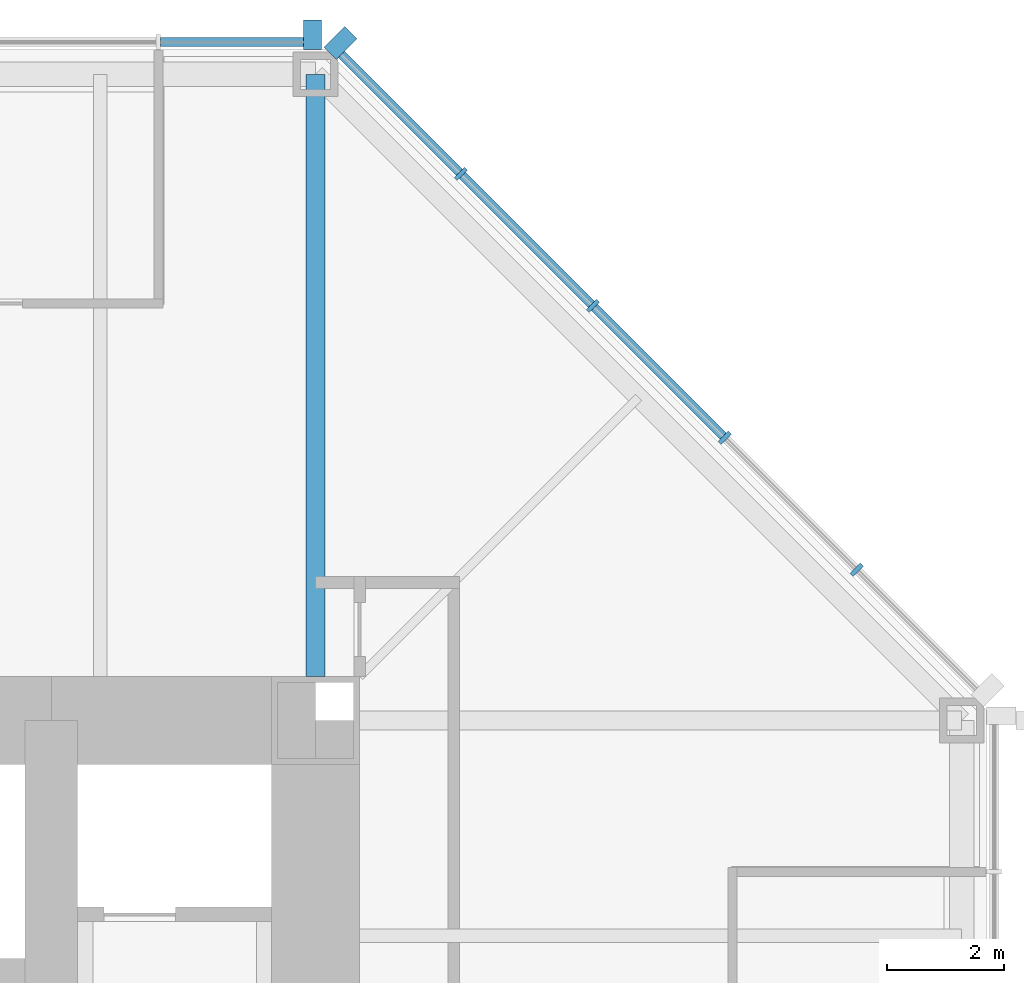
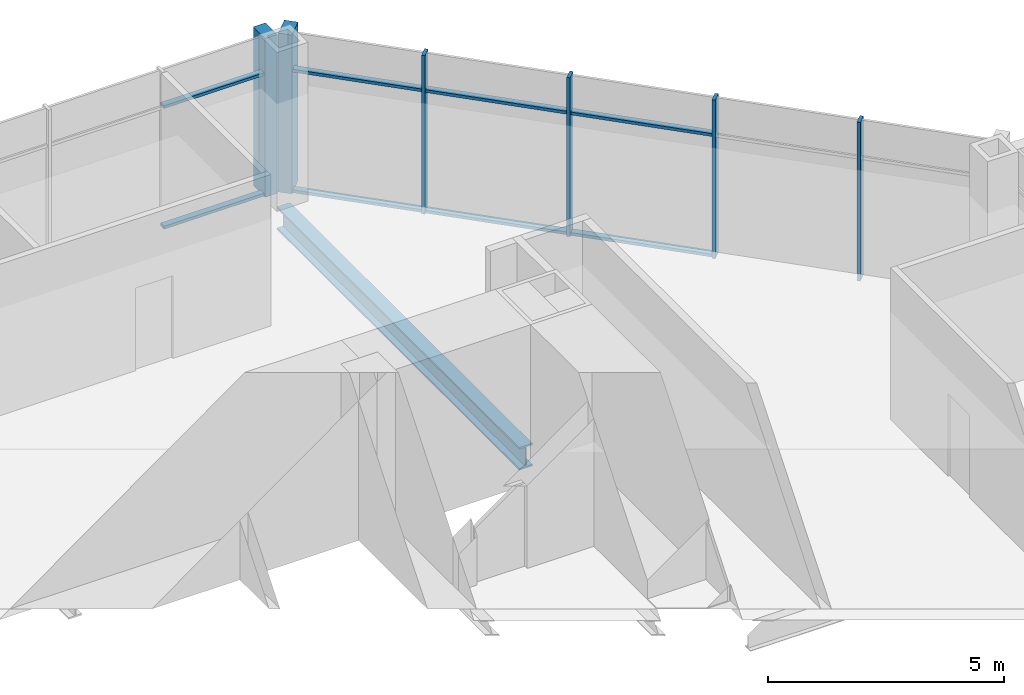
# One storey, part 6 of 12: 14 members, 1 beam, 2 elements without a shape of their own.
"""IFC4 building model written with IfcOpenShell, lengths in metres."""

import ifcopenshell
import ifcopenshell.guid

model = None  # the IFC model being written
_history = None  # IfcOwnerHistory: only IFC2X3 demands one
_inside = {}  # id of a spatial element -> (the spatial element, [elements in it])
_under = {}  # id of a project, library or spatial element -> (it, [spatial elements below it])
_declared = {}  # id of a project -> (the project, [libraries it declares])
_typed = {}  # id of a type object -> (the type object, [elements of that type])
_made_of = {}  # id of a material, layer set ... -> (it, [elements and type objects made of it])


def new_model(schema):
    """Start an empty IFC model of exactly this schema.

    Asked for "IFC4X3", IfcOpenShell would pick the latest addendum, in which some entities
    have other attributes; the version numbers below select the first issue.
    IFC2X3 requires an IfcOwnerHistory on every rooted entity: one is made here for all.
    """
    global model, _history
    if schema == "IFC4X3":
        model = ifcopenshell.file(schema_version=(4, 3, 0, 0))
    else:
        model = ifcopenshell.file(schema=schema)
    _inside.clear()
    _under.clear()
    _declared.clear()
    _typed.clear()
    _made_of.clear()
    _history = None
    if model.schema == "IFC2X3":
        org = make("IfcOrganization", Name="unknown")
        user = make(
            "IfcPersonAndOrganization",
            ThePerson=make("IfcPerson", FamilyName="unknown"),
            TheOrganization=org,
        )
        app = make(
            "IfcApplication",
            ApplicationDeveloper=org,
            Version="unknown",
            ApplicationFullName="unknown",
            ApplicationIdentifier="unknown",
        )
        _history = make(
            "IfcOwnerHistory",
            OwningUser=user,
            OwningApplication=app,
            ChangeAction="ADDED",
            CreationDate=0,
        )
    return model


def make(cls, **values):
    """One entity of the class cls with the attributes given. An attribute that is None is left unset."""
    return model.create_entity(
        cls, **{name: value for name, value in values.items() if value is not None}
    )


def rooted(cls, **values):
    """An entity with a GlobalId (a new one), such as an element, a storey or a relation."""
    return make(cls, GlobalId=ifcopenshell.guid.new(), OwnerHistory=_history, **values)


def si_unit(unit_type, name, prefix=None):
    """IfcSIUnit, for example si_unit("LENGTHUNIT", "METRE", prefix="MILLI")."""
    return make("IfcSIUnit", UnitType=unit_type, Prefix=prefix, Name=name)


def assignment(units):
    """IfcUnitAssignment: the units of a project."""
    return None if units is None else make("IfcUnitAssignment", Units=units)


def point(xyz):
    """IfcCartesianPoint."""
    return None if xyz is None else make("IfcCartesianPoint", Coordinates=xyz)


def direction(xyz):
    """IfcDirection."""
    return None if xyz is None else make("IfcDirection", DirectionRatios=xyz)


def frame(location, z_axis=None, x_axis=None):
    """IfcAxis2Placement3D, a coordinate frame: its origin and axes. An axis left out is left unset."""
    return make(
        "IfcAxis2Placement3D",
        Location=point(location),
        Axis=direction(z_axis),
        RefDirection=direction(x_axis),
    )


def frame_2d(location, x_axis=None):
    """IfcAxis2Placement2D, a coordinate frame in the plane: its origin and x axis."""
    return make(
        "IfcAxis2Placement2D", Location=point(location), RefDirection=direction(x_axis)
    )


def origin():
    """The frame at (0, 0, 0) with its axes left unset."""
    return frame((0.0, 0.0, 0.0))


def origin_2d():
    """The frame at (0, 0) in the plane with its x axis left unset."""
    return frame_2d((0.0, 0.0))


def place(relative_to, where):
    """IfcLocalPlacement: puts the frame where relative to a parent placement (None: the world)."""
    return make(
        "IfcLocalPlacement", PlacementRelTo=relative_to, RelativePlacement=where
    )


def context(
    kind, dimensions, precision=None, world=None, true_north=None, identifier=None
):
    """IfcGeometricRepresentationContext, for example the 3D "Model" context."""
    return make(
        "IfcGeometricRepresentationContext",
        ContextIdentifier=identifier,
        ContextType=kind,
        CoordinateSpaceDimension=dimensions,
        Precision=precision,
        WorldCoordinateSystem=world,
        TrueNorth=true_north,
    )


def subcontext(parent, identifier, kind, view, scale=None):
    """IfcGeometricRepresentationSubContext, for example "Body" below "Model"."""
    return make(
        "IfcGeometricRepresentationSubContext",
        ContextIdentifier=identifier,
        ContextType=kind,
        ParentContext=parent,
        TargetScale=scale,
        TargetView=view,
    )


def project(units=None, contexts=None):
    """IfcProject with its units and contexts."""
    return rooted(
        "IfcProject",
        Name="project",
        RepresentationContexts=contexts,
        UnitsInContext=assignment(units),
    )


def spatial(cls, under=None, at=None, **own):
    """A site, building, storey or space (cls), placed at a placement, below another one or the project."""
    s = rooted(cls, ObjectPlacement=at, **own)
    if under is not None:
        _under.setdefault(under.id(), (under, []))[1].append(s)
    return s


def profile(cls, at=None, kind="AREA", **sizes):
    """A parametric profile (cls). Its sizes go by their IFC names, for example OverallWidth=200.0."""
    return make(cls, ProfileType=kind, Position=at, **sizes)


def rectangle(**sizes):
    """IfcRectangleProfileDef."""
    return profile("IfcRectangleProfileDef", **sizes)


def i_section(**sizes):
    """IfcIShapeProfileDef."""
    return profile("IfcIShapeProfileDef", **sizes)


def extrude(swept, where, along, depth):
    """IfcExtrudedAreaSolid: the profile swept, set in the frame where, extruded along a direction by depth."""
    return make(
        "IfcExtrudedAreaSolid",
        SweptArea=swept,
        Position=where,
        ExtrudedDirection=direction(along),
        Depth=depth,
    )


def shape(context_of_items, identifier, shape_type, items):
    """IfcShapeRepresentation: the items that make up one representation, for example the "Body"."""
    return make(
        "IfcShapeRepresentation",
        ContextOfItems=context_of_items,
        RepresentationIdentifier=identifier,
        RepresentationType=shape_type,
        Items=items,
    )


def material(Name=None, Category=None):
    """IfcMaterial."""
    return make("IfcMaterial", Name=Name, Category=Category)


def material_profile(
    of_material, cross_section, Name=None, Category=None, Priority=None
):
    """IfcMaterialProfile: a cross section and its material."""
    return make(
        "IfcMaterialProfile",
        Name=Name,
        Material=of_material,
        Profile=cross_section,
        Priority=Priority,
        Category=Category,
    )


def profile_set(profiles, Name=None, composite=None):
    """IfcMaterialProfileSet."""
    return make(
        "IfcMaterialProfileSet",
        Name=Name,
        MaterialProfiles=profiles,
        CompositeProfile=composite,
    )


def made_of(thing, what):
    """Note that an element or type object is made of a material, layer set ...; save() writes the relation."""
    if what is not None:
        _made_of.setdefault(what.id(), (what, []))[1].append(thing)
    return thing


def type_object(cls, material=None, **own):
    """A type object (cls), such as IfcWallType, which elements share."""
    return made_of(rooted(cls, **own), material)


def element(
    cls,
    number,
    at=None,
    inside=None,
    cuts=None,
    type_object=None,
    material=None,
    context=None,
    identifier="Body",
    shape_type=None,
    held_by="IfcProductDefinitionShape",
    body=None,
    shapes=None,
    **own,
):
    """One element of the class cls, such as IfcWall. Its Tag is "e" and its number.

    at: its placement. inside: the storey or other place that contains it. cuts: it is an
    opening in that element (IfcRelVoidsElement). A single representation is given by context,
    identifier, shape_type and body (its items); several are given by shapes. held_by: the class
    of the entity that holds the representations. save() writes the other relations.
    """
    e = rooted(cls, Tag="e%d" % number, ObjectPlacement=at, **own)
    if body is not None:
        shapes = [shape(context, identifier, shape_type, body)]
    if shapes is not None:
        e.Representation = make(held_by, Representations=shapes)
    if inside is not None:
        _inside.setdefault(inside.id(), (inside, []))[1].append(e)
    if cuts is not None:
        rooted(
            "IfcRelVoidsElement", RelatingBuildingElement=cuts, RelatedOpeningElement=e
        )
    if type_object is not None:
        _typed.setdefault(type_object.id(), (type_object, []))[1].append(e)
    return made_of(e, material)


def aggregate(whole, parts):
    """IfcRelAggregates: a whole, such as a stair, and the parts it consists of."""
    return rooted("IfcRelAggregates", RelatingObject=whole, RelatedObjects=parts)


def save(model, path):
    """Write the relations noted so far, then the file.

    IfcRelAggregates (storeys below a building ...), IfcRelContainedInSpatialStructure (elements
    in a storey), IfcRelDefinesByType, IfcRelAssociatesMaterial and IfcRelDeclares: one each for
    every whole, place, type object, material and project.
    """
    for whole, parts in _under.values():
        aggregate(whole, parts)
    for where, things in _inside.values():
        rooted(
            "IfcRelContainedInSpatialStructure",
            RelatedElements=things,
            RelatingStructure=where,
        )
    for kind, things in _typed.values():
        rooted("IfcRelDefinesByType", RelatedObjects=things, RelatingType=kind)
    for what, things in _made_of.values():
        rooted("IfcRelAssociatesMaterial", RelatedObjects=things, RelatingMaterial=what)
    for by, libraries in _declared.values():
        rooted("IfcRelDeclares", RelatingContext=by, RelatedDefinitions=libraries)
    model.write(path)


model = new_model("IFC4")

# Units and contexts
model_context = context("Model", 3, precision=1e-05, world=origin(), true_north=direction((0.0, 1.0)))
body_context = subcontext(model_context, "Body", "Model", "MODEL_VIEW")
ifc_project = project(units=[si_unit("LENGTHUNIT", "METRE"), si_unit("AREAUNIT", "SQUARE_METRE"), si_unit("VOLUMEUNIT", "CUBIC_METRE"), si_unit("PLANEANGLEUNIT", "RADIAN"), si_unit("MASSUNIT", "GRAM", prefix="KILO")], contexts=[model_context])

# Site, building, storey
site_placement = place(None, origin())
site = spatial("IfcSite", under=ifc_project, at=site_placement, CompositionType="ELEMENT")
building_placement = place(site_placement, origin())
building = spatial("IfcBuilding", under=site, at=building_placement, Name="Trevanion Tower", CompositionType="ELEMENT")
storey_placement = place(building_placement, frame((0.0, 0.0, 113.10009765625)))
storey = spatial("IfcBuildingStorey", under=building, at=storey_placement, Name="L26", CompositionType="ELEMENT", Elevation=113.10009765625)

# Curtain wall, members
ifc_material_1 = material(Name="Aluminium and glass", Category="aluminium")
curtain_wall_type = type_object("IfcCurtainWallType", Name="CW2 curtain wall", PredefinedType="USERDEFINED", material=ifc_material_1)
curtain_wall_1_placement = place(storey_placement, origin())
curtain_wall_1 = element("IfcCurtainWall", 1, at=curtain_wall_1_placement, inside=storey, type_object=curtain_wall_type, Name="CW2 L26 1", ObjectType="UNITISED CURTAIN WALL", PredefinedType="USERDEFINED")
ifc_material_2 = material(Name="Aluminium extrusion, anodised bronze", Category="aluminium")
ifc_material_profile_1 = material_profile(ifc_material_2, rectangle(XDim=0.074951171875, YDim=0.25, at=origin_2d()), Name="CW2 mullion")
ifc_profile_set_1 = profile_set([ifc_material_profile_1], Name="Aluminium extrusion, anodised bronze")
member_type_1 = type_object("IfcMemberType", Name="CW2 mullion", PredefinedType="MULLION", material=ifc_profile_set_1)
member_1_placement = place(storey_placement, frame((20.2119140625, 13.56591796875, -0.190185546875), z_axis=(0.0, 0.0, 1.0), x_axis=(-0.707106781187, 0.707106781187, 0.0)))
member_1 = element("IfcMember", 2, at=member_1_placement, type_object=member_type_1, Name="CW2 mullion 2", PredefinedType="MULLION", context=body_context, shape_type="SweptSolid", body=[
    extrude(rectangle(XDim=0.074951171875, YDim=0.25, at=origin_2d()), origin(), (0.0, 0.0, 1.0), 4.10009765625),
])
member_2_placement = place(storey_placement, frame((17.966064453125, 15.811767578125, -0.190185546875), z_axis=(0.0, 0.0, 1.0), x_axis=(-0.707106781187, 0.707106781187, 0.0)))
member_2 = element("IfcMember", 3, at=member_2_placement, type_object=member_type_1, Name="CW2 mullion 3", PredefinedType="MULLION", context=body_context, shape_type="SweptSolid", body=[
    extrude(rectangle(XDim=0.074951171875, YDim=0.25, at=origin_2d()), origin(), (0.0, 0.0, 1.0), 4.10009765625),
])
member_3_placement = place(storey_placement, frame((15.719970703125, 18.057861328125, -0.190185546875), z_axis=(0.0, 0.0, 1.0), x_axis=(-0.707106781187, 0.707106781187, 0.0)))
member_3 = element("IfcMember", 4, at=member_3_placement, type_object=member_type_1, Name="CW2 mullion 4", PredefinedType="MULLION", context=body_context, shape_type="SweptSolid", body=[
    extrude(rectangle(XDim=0.074951171875, YDim=0.25, at=origin_2d()), origin(), (0.0, 0.0, 1.0), 4.10009765625),
])
member_4_placement = place(storey_placement, frame((13.473876953125, 20.303955078125, -0.190185546875), z_axis=(0.0, 0.0, 1.0), x_axis=(-0.707106781187, 0.707106781187, 0.0)))
member_4 = element("IfcMember", 5, at=member_4_placement, type_object=member_type_1, Name="CW2 mullion 5", PredefinedType="MULLION", context=body_context, shape_type="SweptSolid", body=[
    extrude(rectangle(XDim=0.074951171875, YDim=0.25, at=origin_2d()), origin(), (0.0, 0.0, 1.0), 4.10009765625),
])
ifc_material_3 = material(Name="Aluminium extrusion, anodised bronze", Category="aluminium")
ifc_material_profile_2 = material_profile(ifc_material_3, rectangle(XDim=0.300048828125, YDim=0.5, at=origin_2d()), Name="CW2 pier mullion")
ifc_profile_set_2 = profile_set([ifc_material_profile_2], Name="Aluminium extrusion, anodised bronze")
member_type_2 = type_object("IfcMemberType", Name="CW2 pier mullion", PredefinedType="MULLION", material=ifc_profile_set_2)
member_5_placement = place(storey_placement, frame((11.42236328125, 22.5322265625, -0.190185546875), z_axis=(0.0, 0.0, 1.0), x_axis=(-0.707106781187, 0.707106781187, 0.0)))
member_5 = element("IfcMember", 6, at=member_5_placement, type_object=member_type_2, Name="CW2 pier mullion 6", PredefinedType="MULLION", context=body_context, shape_type="SweptSolid", body=[
    extrude(rectangle(XDim=0.300048828125, YDim=0.5, at=origin_2d()), origin(), (0.0, 0.0, 1.0), 4.10009765625),
])

# Curtain wall, member
curtain_wall_2_placement = place(storey_placement, origin())
curtain_wall_2 = element("IfcCurtainWall", 7, at=curtain_wall_2_placement, inside=storey, type_object=curtain_wall_type, Name="CW2 L26 2", ObjectType="UNITISED CURTAIN WALL", PredefinedType="USERDEFINED")
member_6_placement = place(storey_placement, frame((10.94775390625, 22.675048828125, -0.190185546875), z_axis=(0.0, 0.0, 1.0), x_axis=(-1.0, 0.0, 0.0)))
member_6 = element("IfcMember", 8, at=member_6_placement, type_object=member_type_2, Name="CW2 pier mullion 1", PredefinedType="MULLION", context=body_context, shape_type="SweptSolid", body=[
    extrude(rectangle(XDim=0.300048828125, YDim=0.5, at=origin_2d()), origin(), (0.0, 0.0, 1.0), 4.10009765625),
])

# Member
ifc_material_4 = material(Name="Aluminium extrusion, anodised bronze", Category="aluminium")
ifc_material_profile_3 = material_profile(ifc_material_4, rectangle(XDim=0.14990234375, YDim=0.074951171875, at=origin_2d()), Name="CW2 transom")
ifc_profile_set_3 = profile_set([ifc_material_profile_3], Name="Aluminium extrusion, anodised bronze")
member_type_3 = type_object("IfcMemberType", Name="CW2 transom", PredefinedType="USERDEFINED", material=ifc_profile_set_3)
member_7_placement = place(storey_placement, frame((17.939453125, 15.83837890625, -0.152587890625), z_axis=(-0.707106781187, 0.707106781187, 0.0), x_axis=(-0.707106781187, -0.707106781187, 0.0)))
member_7 = element("IfcMember", 9, at=member_7_placement, type_object=member_type_3, Name="CW2 transom 3.1", ObjectType="TRANSOM", PredefinedType="USERDEFINED", context=body_context, shape_type="SweptSolid", body=[
    extrude(rectangle(XDim=0.14990234375, YDim=0.074951171875, at=origin_2d()), origin(), (0.0, 0.0, 1.0), 3.1015625),
])

member_8_placement = place(storey_placement, frame((17.939453125, 15.83837890625, 2.9599609375), z_axis=(-0.707106781187, 0.707106781187, 0.0), x_axis=(-0.707106781187, -0.707106781187, 0.0)))
member_8 = element("IfcMember", 10, at=member_8_placement, type_object=member_type_3, Name="CW2 transom 3.2", ObjectType="TRANSOM", PredefinedType="USERDEFINED", context=body_context, shape_type="SweptSolid", body=[
    extrude(rectangle(XDim=0.14990234375, YDim=0.074951171875, at=origin_2d()), origin(), (0.0, 0.0, 1.0), 3.1015625),
])

member_9_placement = place(storey_placement, frame((15.693359375, 18.08447265625, -0.152587890625), z_axis=(-0.707106781187, 0.707106781187, 0.0), x_axis=(-0.707106781187, -0.707106781187, 0.0)))
member_9 = element("IfcMember", 11, at=member_9_placement, type_object=member_type_3, Name="CW2 transom 4.1", ObjectType="TRANSOM", PredefinedType="USERDEFINED", context=body_context, shape_type="SweptSolid", body=[
    extrude(rectangle(XDim=0.14990234375, YDim=0.074951171875, at=origin_2d()), origin(), (0.0, 0.0, 1.0), 3.10107421875),
])

member_10_placement = place(storey_placement, frame((15.693359375, 18.08447265625, 2.9599609375), z_axis=(-0.707106781187, 0.707106781187, 0.0), x_axis=(-0.707106781187, -0.707106781187, 0.0)))
member_10 = element("IfcMember", 12, at=member_10_placement, type_object=member_type_3, Name="CW2 transom 4.2", ObjectType="TRANSOM", PredefinedType="USERDEFINED", context=body_context, shape_type="SweptSolid", body=[
    extrude(rectangle(XDim=0.14990234375, YDim=0.074951171875, at=origin_2d()), origin(), (0.0, 0.0, 1.0), 3.10107421875),
])

member_11_placement = place(storey_placement, frame((13.447509765625, 20.33056640625, -0.152587890625), z_axis=(-0.707149778163, 0.707063781595, 0.0), x_axis=(-0.707063781595, -0.707149778163, 0.0)))
member_11 = element("IfcMember", 13, at=member_11_placement, type_object=member_type_3, Name="CW2 transom 5.1", ObjectType="TRANSOM", PredefinedType="USERDEFINED", context=body_context, shape_type="SweptSolid", body=[
    extrude(rectangle(XDim=0.14990234375, YDim=0.074951171875, at=origin_2d()), origin(), (0.0, 0.0, 1.0), 2.8388671875),
])

member_12_placement = place(storey_placement, frame((13.447509765625, 20.33056640625, 2.9599609375), z_axis=(-0.707149778163, 0.707063781595, 0.0), x_axis=(-0.707063781595, -0.707149778163, 0.0)))
member_12 = element("IfcMember", 14, at=member_12_placement, type_object=member_type_3, Name="CW2 transom 5.2", ObjectType="TRANSOM", PredefinedType="USERDEFINED", context=body_context, shape_type="SweptSolid", body=[
    extrude(rectangle(XDim=0.14990234375, YDim=0.074951171875, at=origin_2d()), origin(), (0.0, 0.0, 1.0), 2.8388671875),
])

aggregate(curtain_wall_1, [member_1, member_2, member_3, member_4, member_5, member_7, member_8, member_9, member_10, member_11, member_12])

member_13_placement = place(storey_placement, frame((10.7978515625, 22.550048828125, -0.152587890625), z_axis=(-1.0, 0.0, 0.0), x_axis=(0.0, -1.0, 0.0)))
member_13 = element("IfcMember", 15, at=member_13_placement, type_object=member_type_3, Name="CW2 transom 1.1", ObjectType="TRANSOM", PredefinedType="USERDEFINED", context=body_context, shape_type="SweptSolid", body=[
    extrude(rectangle(XDim=0.14990234375, YDim=0.074951171875, at=origin_2d()), origin(), (0.0, 0.0, 1.0), 2.43701171875),
])

member_14_placement = place(storey_placement, frame((10.7978515625, 22.550048828125, 2.9599609375), z_axis=(-1.0, 0.0, 0.0), x_axis=(0.0, -1.0, 0.0)))
member_14 = element("IfcMember", 16, at=member_14_placement, type_object=member_type_3, Name="CW2 transom 1.2", ObjectType="TRANSOM", PredefinedType="USERDEFINED", context=body_context, shape_type="SweptSolid", body=[
    extrude(rectangle(XDim=0.14990234375, YDim=0.074951171875, at=origin_2d()), origin(), (0.0, 0.0, 1.0), 2.43701171875),
])

aggregate(curtain_wall_2, [member_6, member_13, member_14])

# Beam
ifc_material_5 = material(Name="Steel ASTM A992 Grade 50", Category="steel")
ifc_material_profile_4 = material_profile(ifc_material_5, i_section(OverallWidth=0.320068359375, OverallDepth=0.584228515625, WebThickness=0.023193359375, FlangeThickness=0.04150390625, at=origin_2d()), Name="W21X201")
ifc_profile_set_4 = profile_set([ifc_material_profile_4], Name="Steel ASTM A992 Grade 50")
beam_type = type_object("IfcBeamType", Name="G4 W21X201", PredefinedType="BEAM", material=ifc_profile_set_4)
beam_placement = place(storey_placement, frame((11.0, 11.75, -0.482177734375), z_axis=(0.0, 1.0, 0.0), x_axis=(-1.0, 0.0, 0.0)))
element("IfcBeam", 17, at=beam_placement, inside=storey, type_object=beam_type, Name="G4 L26", PredefinedType="BEAM", context=body_context, shape_type="SweptSolid", body=[
    extrude(i_section(OverallWidth=0.320068359375, OverallDepth=0.584228515625, WebThickness=0.023193359375, FlangeThickness=0.04150390625, at=origin_2d()), origin(), (0.0, 0.0, 1.0), 10.25),
])

save(model, "model.ifc")
